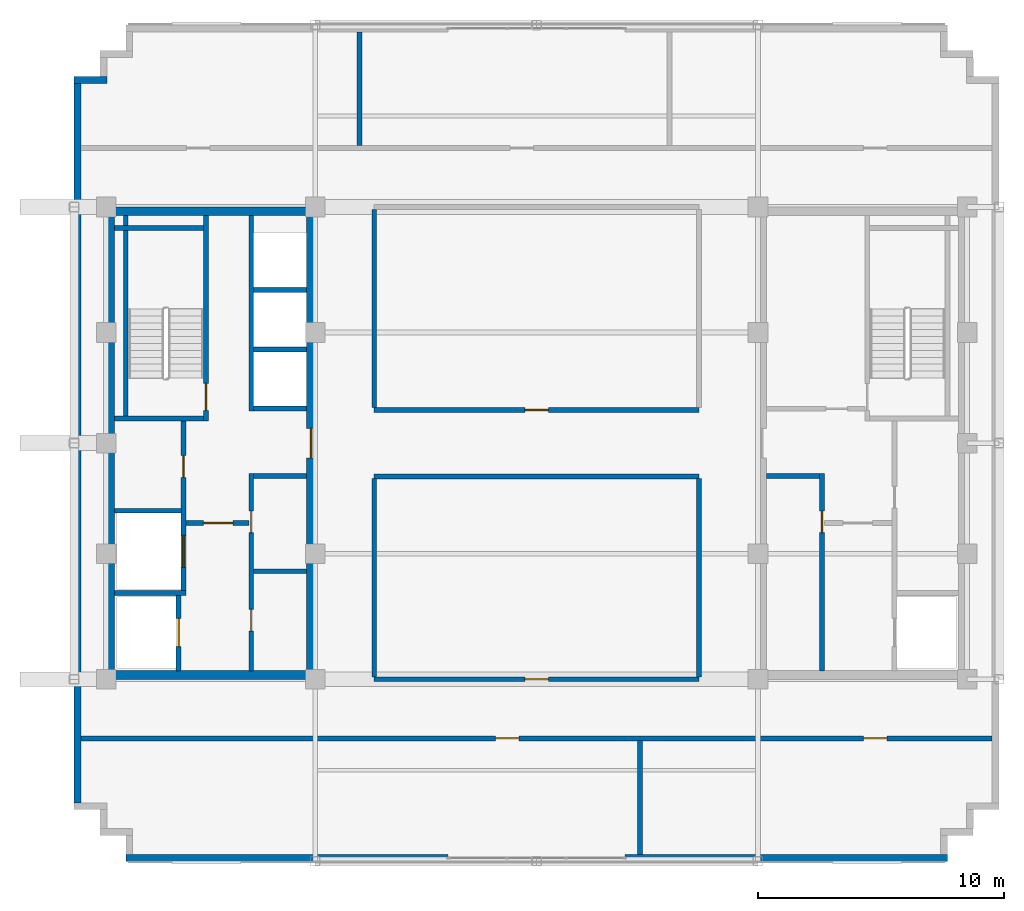
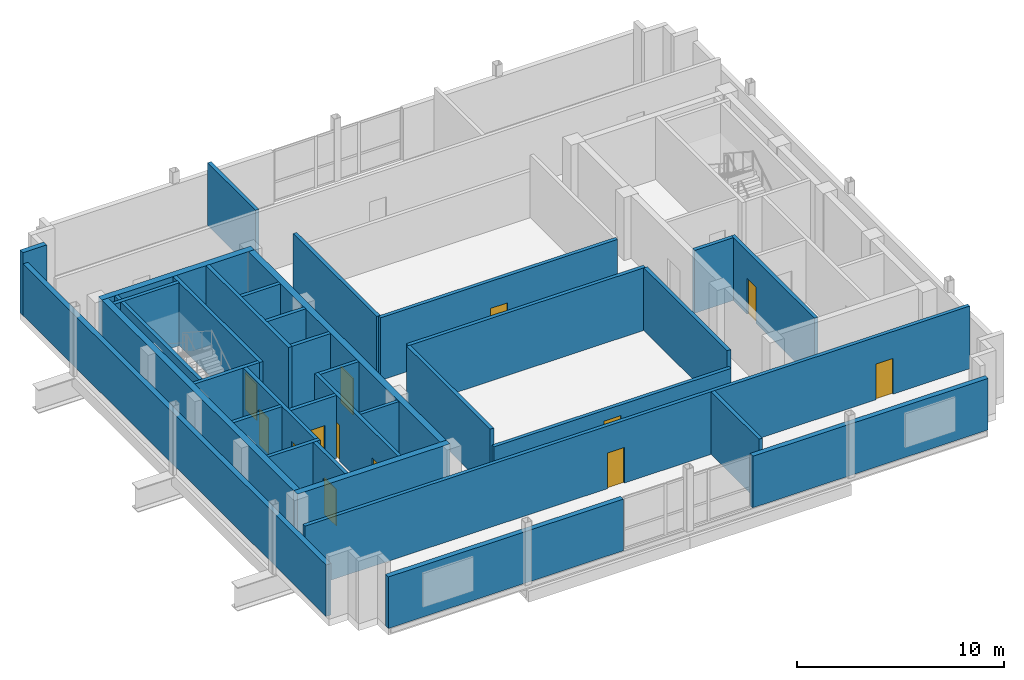
# One storey, part 2 of 9: 35 walls, 13 doors, 13 openings.
"""IFC4 building model written with IfcOpenShell, lengths in metres."""

from ifc_helpers import new_model, si_unit, direction, frame, frame_2d, origin, place, context, subcontext, project, spatial, rectangle, extrude, source, transform, mapped, material, layer, layer_set, type_object, type_shapes, element, fill, save


model = new_model("IFC4")

# Units and contexts
model_context = context("Model", 3, precision=1e-05, world=origin(), true_north=direction((0.0, 1.0)))
body_context = subcontext(model_context, "Body", "Model", "MODEL_VIEW")
ifc_project = project(units=[si_unit("LENGTHUNIT", "METRE"), si_unit("AREAUNIT", "SQUARE_METRE"), si_unit("VOLUMEUNIT", "CUBIC_METRE"), si_unit("PLANEANGLEUNIT", "RADIAN"), si_unit("MASSUNIT", "GRAM", prefix="KILO")], contexts=[model_context])

# Site, building, storey
site_placement = place(None, origin())
site = spatial("IfcSite", under=ifc_project, at=site_placement, CompositionType="ELEMENT")
building_placement = place(site_placement, origin())
building = spatial("IfcBuilding", under=site, at=building_placement, Name="Nuvemarco Arch Tower", CompositionType="ELEMENT")
storey_placement = place(building_placement, frame((0.0, 0.0, 287.14990234375)))
storey = spatial("IfcBuildingStorey", under=building, at=storey_placement, Name="L76", CompositionType="ELEMENT", Elevation=287.14990234375)

# Walls
ifc_material_1 = material(Name="Precast concrete C45/55", Category="concrete")
ifc_layer_1 = layer(ifc_material_1, 0.280029296875, Name="EW-CRN-280")
ifc_layer_set_1 = layer_set([ifc_layer_1], Name="Precast concrete C45/55")
wall_type_1 = type_object("IfcWallType", Name="EW-CRN-280", PredefinedType="STANDARD", material=ifc_layer_set_1)
for number, where, z_axis, x_axis, name in (
    (1, (-16.699951171875, -16.860107421875, 0.0), (0.0, 0.0, 1.0), (1.0, 0.0, 0.0), "L76 exterior precast pier wall south left"),
    (2, (3.60009765625, -16.860107421875, 0.0), (0.0, 0.0, 1.0), (1.0, 0.0, 0.0), "L76 exterior precast pier wall south right"),
):
    element("IfcWall", number, at=place(storey_placement, frame(where, z_axis=z_axis, x_axis=x_axis)), inside=storey, type_object=wall_type_1, Name=name, PredefinedType="STANDARD", context=body_context, shape_type="SweptSolid", body=[
        extrude(rectangle(XDim=13.099853515625, YDim=0.280029296875, at=frame_2d((6.5498046875, 0.0))), origin(), (0.0, 0.0, 1.0), 3.03515625),
    ])
wall_1_placement = place(storey_placement, frame((-18.800048828125, 14.760009765625, 0.0), z_axis=(0.0, 0.0, 1.0), x_axis=(1.0, 0.0, 0.0)))
element("IfcWall", 3, at=wall_1_placement, inside=storey, type_object=wall_type_1, Name="L76 exterior precast facade wall 15", PredefinedType="STANDARD", context=body_context, shape_type="SweptSolid", body=[
    extrude(rectangle(XDim=1.330078125, YDim=0.280029296875, at=frame_2d((0.6650390625, 0.0))), origin(), (0.0, 0.0, 1.0), 3.690185546875),
])
wall_2_placement = place(storey_placement, frame((-18.659912109375, -14.6240234375, 0.0), z_axis=(0.0, 0.0, 1.0), x_axis=(0.0, 1.0, 0.0)))
element("IfcWall", 4, at=wall_2_placement, inside=storey, type_object=wall_type_1, Name="L76 exterior precast facade wall 16", PredefinedType="STANDARD", context=body_context, shape_type="SweptSolid", body=[
    extrude(rectangle(XDim=29.248046875, YDim=0.280029296875, at=frame_2d((14.6240234375, 0.0))), origin(), (0.0, 0.0, 1.0), 3.03515625),
])
ifc_material_2 = material(Name="Concrete C50/60", Category="concrete")
ifc_layer_2 = layer(ifc_material_2, 0.35009765625, Name="WL-CORE-350")
ifc_layer_set_2 = layer_set([ifc_layer_2], Name="Concrete C50/60")
wall_type_2 = type_object("IfcWallType", Name="WL-CORE-350", PredefinedType="SHEAR", material=ifc_layer_set_2)
for number, where, z_axis, x_axis, name in (
    (5, (-17.5, -9.425048828125, 0.0), (0.0, 0.0, 1.0), (1.0, 0.0, 0.0), "L76 W-core shear wall S"),
    (6, (-17.5, 9.425048828125, 0.0), (0.0, 0.0, 1.0), (1.0, 0.0, 0.0), "L76 W-core shear wall N"),
):
    element("IfcWall", number, at=place(storey_placement, frame(where, z_axis=z_axis, x_axis=x_axis)), inside=storey, type_object=wall_type_2, Name=name, PredefinedType="SHEAR", context=body_context, shape_type="SweptSolid", body=[
        extrude(rectangle(XDim=8.5, YDim=0.35009765625, at=frame_2d((4.25, 0.0))), origin(), (0.0, 0.0, 1.0), 3.7001953125),
    ])
wall_3_placement = place(storey_placement, frame((-17.324951171875, -9.2548828125, 0.0), z_axis=(0.0, 0.0, 1.0), x_axis=(0.0, 1.0, 0.0)))
element("IfcWall", 7, at=wall_3_placement, inside=storey, type_object=wall_type_2, Name="L76 W-core shear wall W", PredefinedType="SHEAR", context=body_context, shape_type="SweptSolid", body=[
    extrude(rectangle(XDim=18.509765625, YDim=0.35009765625, at=frame_2d((9.2548828125, 0.0))), origin(), (0.0, 0.0, 1.0), 3.7001953125),
])

# Wall, opening, door
wall_4_placement = place(storey_placement, frame((-9.175048828125, -9.2548828125, 0.0), z_axis=(0.0, 0.0, 1.0), x_axis=(0.0, 1.0, 0.0)))
wall_4 = element("IfcWall", 8, at=wall_4_placement, inside=storey, type_object=wall_type_2, Name="L76 W-core shear wall E", PredefinedType="SHEAR", context=body_context, shape_type="SweptSolid", body=[
    extrude(rectangle(XDim=18.509765625, YDim=0.35009765625, at=frame_2d((9.2548828125, 0.0))), origin(), (0.0, 0.0, 1.0), 3.7001953125),
])
opening_1_placement = place(wall_4_placement, frame((8.655029296875, 0.0, 0.0)))
opening_1 = element("IfcOpeningElement", 9, at=opening_1_placement, cuts=wall_4, Name="Opening FD-2", PredefinedType="OPENING", context=body_context, shape_type="SweptSolid", body=[
    extrude(rectangle(XDim=1.199951171875, YDim=2.14990234375, at=frame_2d((0.60009765625, 1.074951171875))), frame((0.0, 0.18505859375, 0.0), z_axis=(0.0, -1.0, 0.0), x_axis=(1.0, 0.0, 0.0)), (0.0, 0.0, 1.0), 0.3701171875),
])
ifc_material_3 = material(Name="Anodised steel fire door", Category="steel")
door_type_1 = type_object("IfcDoorType", Name="DR-FFLOB-FD", OperationType="NOTDEFINED", PredefinedType="DOOR", material=ifc_material_3)
shared_shape_1 = source(origin(), body_context, "Body", "SweptSolid", [
    extrude(rectangle(XDim=1.199951171875, YDim=2.14990234375, at=frame_2d((0.60009765625, 1.074951171875))), frame((0.0, 0.02490234375, 0.0), z_axis=(0.0, -1.0, 0.0), x_axis=(1.0, 0.0, 0.0)), (0.0, 0.0, 1.0), 0.050048828125),
])
type_shapes(door_type_1, [shared_shape_1])
door_1_placement = place(opening_1_placement, origin())
door_1 = element("IfcDoor", 10, at=door_1_placement, inside=storey, type_object=door_type_1, Name="L76 door FD-L76-WCORE-E", OperationType="SINGLE_SWING_LEFT", OverallHeight=2.14990234375, OverallWidth=1.199951171875, PredefinedType="DOOR", context=body_context, shape_type="MappedRepresentation", body=[
    mapped(shared_shape_1, transform((0.0, 0.0, 0.0), scale=1.0)),
])
fill(opening_1, door_1)

# Wall
ifc_material_4 = material(Name="Fire-rated gypsum drywall partition")
ifc_layer_3 = layer(ifc_material_4, 0.179931640625, Name="WL-CORR-180")
ifc_layer_set_3 = layer_set([ifc_layer_3], Name="Fire-rated gypsum drywall partition")
wall_type_3 = type_object("IfcWallType", Name="WL-CORR-180", PredefinedType="PARTITIONING", material=ifc_layer_set_3)
wall_5_placement = place(storey_placement, frame((-11.5048828125, -5.199951171875, 0.0), z_axis=(0.0, 0.0, 1.0), x_axis=(1.0, 0.0, 0.0)))
element("IfcWall", 11, at=wall_5_placement, inside=storey, type_object=wall_type_3, Name="L76 interior wall IW-L76-W-RECK1", PredefinedType="PARTITIONING", context=body_context, shape_type="SweptSolid", body=[
    extrude(rectangle(XDim=2.159912109375, YDim=0.179931640625, at=frame_2d((1.080078125, 0.0))), origin(), (0.0, 0.0, 1.0), 3.690185546875),
])

# Wall, openings, doors
ifc_layer_4 = layer(ifc_material_1, 0.199951171875, Name="WL-PLANT-200")
ifc_layer_set_4 = layer_set([ifc_layer_4], Name="Precast concrete C45/55")
wall_type_4 = type_object("IfcWallType", Name="WL-PLANT-200", PredefinedType="STANDARD", material=ifc_layer_set_4)
wall_6_placement = place(storey_placement, frame((-18.52001953125, -12.0, 0.0), z_axis=(0.0, 0.0, 1.0), x_axis=(1.0, 0.0, 0.0)))
wall_6 = element("IfcWall", 12, at=wall_6_placement, inside=storey, type_object=wall_type_4, Name="L76 interior wall IW-L76-001", PredefinedType="STANDARD", context=body_context, shape_type="SweptSolid", body=[
    extrude(rectangle(XDim=37.0400390625, YDim=0.199951171875, at=frame_2d((18.52001953125, 0.0))), origin(), (0.0, 0.0, 1.0), 3.690185546875),
])
opening_2_placement = place(wall_6_placement, frame((16.840087890625, 0.0, 0.0)))
opening_2 = element("IfcOpeningElement", 13, at=opening_2_placement, cuts=wall_6, Name="Opening FD-5", PredefinedType="OPENING", context=body_context, shape_type="SweptSolid", body=[
    extrude(rectangle(XDim=0.9599609375, YDim=2.10009765625, at=frame_2d((0.47998046875, 1.050048828125))), frame((0.0, 0.10986328125, 0.0), z_axis=(0.0, -1.0, 0.0), x_axis=(1.0, 0.0, 0.0)), (0.0, 0.0, 1.0), 0.219970703125),
])
opening_3_placement = place(wall_6_placement, frame((31.800048828125, 0.0, 0.0)))
opening_3 = element("IfcOpeningElement", 14, at=opening_3_placement, cuts=wall_6, Name="Opening FD-5", PredefinedType="OPENING", context=body_context, shape_type="SweptSolid", body=[
    extrude(rectangle(XDim=0.9599609375, YDim=2.10009765625, at=frame_2d((0.47998046875, 1.050048828125))), frame((0.0, 0.10986328125, 0.0), z_axis=(0.0, -1.0, 0.0), x_axis=(1.0, 0.0, 0.0)), (0.0, 0.0, 1.0), 0.219970703125),
])
ifc_material_5 = material(Name="Timber fire door", Category="wood")
door_type_2 = type_object("IfcDoorType", Name="DR-CORR-FD", OperationType="NOTDEFINED", PredefinedType="DOOR", material=ifc_material_5)
shared_shape_2 = source(origin(), body_context, "Body", "SweptSolid", [
    extrude(rectangle(XDim=0.9599609375, YDim=2.10009765625, at=frame_2d((0.47998046875, 1.050048828125))), frame((0.0, 0.02490234375, 0.0), z_axis=(0.0, -1.0, 0.0), x_axis=(1.0, 0.0, 0.0)), (0.0, 0.0, 1.0), 0.050048828125),
])
type_shapes(door_type_2, [shared_shape_2])
door_2_placement = place(opening_2_placement, origin())
door_2 = element("IfcDoor", 15, at=door_2_placement, inside=storey, type_object=door_type_2, Name="L76 door DR-L76-CRN_COOL", OperationType="SINGLE_SWING_LEFT", OverallHeight=2.10009765625, OverallWidth=0.9599609375, PredefinedType="DOOR", context=body_context, shape_type="MappedRepresentation", body=[
    mapped(shared_shape_2, transform((0.0, 0.0, 0.0), scale=1.0)),
])
fill(opening_2, door_2)
door_3_placement = place(opening_3_placement, origin())
door_3 = element("IfcDoor", 16, at=door_3_placement, inside=storey, type_object=door_type_2, Name="L76 door DR-L76-CRN_AHU", OperationType="SINGLE_SWING_RIGHT", OverallHeight=2.10009765625, OverallWidth=0.9599609375, PredefinedType="DOOR", context=body_context, shape_type="MappedRepresentation", body=[
    mapped(shared_shape_2, transform((0.0, 0.0, 0.0), scale=1.0)),
])
fill(opening_3, door_3)

# Wall, opening, door
wall_7_placement = place(storey_placement, frame((-6.60009765625, -9.60009765625, 0.0), z_axis=(0.0, 0.0, 1.0), x_axis=(1.0, 0.0, 0.0)))
wall_7 = element("IfcWall", 17, at=wall_7_placement, inside=storey, type_object=wall_type_4, Name="L76 interior wall IW-L76-002", PredefinedType="STANDARD", context=body_context, shape_type="SweptSolid", body=[
    extrude(rectangle(XDim=13.2001953125, YDim=0.199951171875, at=frame_2d((6.60009765625, 0.0))), origin(), (0.0, 0.0, 1.0), 2.735107421875),
])
opening_4_placement = place(wall_7_placement, frame((6.1201171875, 0.0, 0.0)))
opening_4 = element("IfcOpeningElement", 18, at=opening_4_placement, cuts=wall_7, Name="Opening FD-5", PredefinedType="OPENING", context=body_context, shape_type="SweptSolid", body=[
    extrude(rectangle(XDim=0.9599609375, YDim=2.10009765625, at=frame_2d((0.47998046875, 1.050048828125))), frame((0.0, 0.10986328125, 0.0), z_axis=(0.0, -1.0, 0.0), x_axis=(1.0, 0.0, 0.0)), (0.0, 0.0, 1.0), 0.219970703125),
])
door_4_placement = place(opening_4_placement, origin())
door_4 = element("IfcDoor", 19, at=door_4_placement, inside=storey, type_object=door_type_2, Name="L76 door DR-L76-CRN_BMS", OperationType="SINGLE_SWING_LEFT", OverallHeight=2.10009765625, OverallWidth=0.9599609375, PredefinedType="DOOR", context=body_context, shape_type="MappedRepresentation", body=[
    mapped(shared_shape_2, transform((0.0, 0.0, 0.0), scale=1.0)),
])
fill(opening_4, door_4)

# Wall
wall_8_placement = place(storey_placement, frame((-6.60009765625, -1.35009765625, 0.0), z_axis=(0.0, 0.0, 1.0), x_axis=(1.0, 0.0, 0.0)))
element("IfcWall", 20, at=wall_8_placement, inside=storey, type_object=wall_type_4, Name="L76 interior wall IW-L76-003", PredefinedType="STANDARD", context=body_context, shape_type="SweptSolid", body=[
    extrude(rectangle(XDim=13.2001953125, YDim=0.199951171875, at=frame_2d((6.60009765625, 0.0))), origin(), (0.0, 0.0, 1.0), 3.690185546875),
])

# Wall, opening, door
wall_9_placement = place(storey_placement, frame((-6.60009765625, 1.35009765625, 0.0), z_axis=(0.0, 0.0, 1.0), x_axis=(1.0, 0.0, 0.0)))
wall_9 = element("IfcWall", 21, at=wall_9_placement, inside=storey, type_object=wall_type_4, Name="L76 interior wall IW-L76-004", PredefinedType="STANDARD", context=body_context, shape_type="SweptSolid", body=[
    extrude(rectangle(XDim=13.2001953125, YDim=0.199951171875, at=frame_2d((6.60009765625, 0.0))), origin(), (0.0, 0.0, 1.0), 3.690185546875),
])
opening_5_placement = place(wall_9_placement, frame((6.1201171875, 0.0, 0.0)))
opening_5 = element("IfcOpeningElement", 22, at=opening_5_placement, cuts=wall_9, Name="Opening FD-5", PredefinedType="OPENING", context=body_context, shape_type="SweptSolid", body=[
    extrude(rectangle(XDim=0.9599609375, YDim=2.10009765625, at=frame_2d((0.47998046875, 1.050048828125))), frame((0.0, 0.10986328125, 0.0), z_axis=(0.0, -1.0, 0.0), x_axis=(1.0, 0.0, 0.0)), (0.0, 0.0, 1.0), 0.219970703125),
])
door_5_placement = place(opening_5_placement, origin())
door_5 = element("IfcDoor", 23, at=door_5_placement, inside=storey, type_object=door_type_2, Name="L76 door DR-L76-CRN_PUMP", OperationType="SINGLE_SWING_RIGHT", OverallHeight=2.10009765625, OverallWidth=0.9599609375, PredefinedType="DOOR", context=body_context, shape_type="MappedRepresentation", body=[
    mapped(shared_shape_2, transform((0.0, 0.0, 0.0), scale=1.0)),
])
fill(opening_5, door_5)

# Walls
wall_10_placement = place(storey_placement, frame((-7.199951171875, 12.095947265625, 0.0), z_axis=(0.0, 0.0, 1.0), x_axis=(0.0, 1.0, 0.0)))
element("IfcWall", 24, at=wall_10_placement, inside=storey, type_object=wall_type_4, Name="L76 interior wall IW-L76-007", PredefinedType="STANDARD", context=body_context, shape_type="SweptSolid", body=[
    extrude(rectangle(XDim=4.6240234375, YDim=0.199951171875, at=frame_2d((2.31201171875, 0.0))), origin(), (0.0, 0.0, 1.0), 3.690185546875),
])
for number, where, z_axis, x_axis, name in (
    (25, (-6.60009765625, -9.50390625, 0.0), (0.0, 0.0, 1.0), (0.0, 1.0, 0.0), "L76 interior wall IW-L76-008"),
    (26, (-6.60009765625, 1.446044921875, 0.0), (0.0, 0.0, 1.0), (0.0, 1.0, 0.0), "L76 interior wall IW-L76-009"),
):
    element("IfcWall", number, at=place(storey_placement, frame(where, z_axis=z_axis, x_axis=x_axis)), inside=storey, type_object=wall_type_4, Name=name, PredefinedType="STANDARD", context=body_context, shape_type="SweptSolid", body=[
        extrude(rectangle(XDim=8.057861328125, YDim=0.199951171875, at=frame_2d((4.02880859375, 0.0))), origin(), (0.0, 0.0, 1.0), 3.690185546875),
    ])
wall_11_placement = place(storey_placement, frame((4.199951171875, -16.719970703125, 0.0), z_axis=(0.0, 0.0, 1.0), x_axis=(0.0, 1.0, 0.0)))
element("IfcWall", 27, at=wall_11_placement, inside=storey, type_object=wall_type_4, Name="L76 interior wall IW-L76-010", PredefinedType="STANDARD", context=body_context, shape_type="SweptSolid", body=[
    extrude(rectangle(XDim=4.6240234375, YDim=0.199951171875, at=frame_2d((2.31201171875, 0.0))), origin(), (0.0, 0.0, 1.0), 3.690185546875),
])
wall_12_placement = place(storey_placement, frame((6.60009765625, -9.50390625, 0.0), z_axis=(0.0, 0.0, 1.0), x_axis=(0.0, 1.0, 0.0)))
element("IfcWall", 28, at=wall_12_placement, inside=storey, type_object=wall_type_4, Name="L76 interior wall IW-L76-012", PredefinedType="STANDARD", context=body_context, shape_type="SweptSolid", body=[
    extrude(rectangle(XDim=8.057861328125, YDim=0.199951171875, at=frame_2d((4.02880859375, 0.0))), origin(), (0.0, 0.0, 1.0), 3.690185546875),
])

# Wall, opening, door
ifc_layer_5 = layer(ifc_material_2, 0.199951171875, Name="WL-SHAFT-220")
ifc_layer_set_5 = layer_set([ifc_layer_5], Name="Concrete C50/60")
wall_type_5 = type_object("IfcWallType", Name="WL-SHAFT-220", PredefinedType="SHEAR", material=ifc_layer_set_5)
wall_13_placement = place(storey_placement, frame((-13.43994140625, 0.89990234375, 0.0), z_axis=(0.0, 0.0, 1.0), x_axis=(0.0, 1.0, 0.0)))
wall_13 = element("IfcWall", 29, at=wall_13_placement, inside=storey, type_object=wall_type_5, Name="L76 structural shaft wall SW-L76-W-ST1E", PredefinedType="SHEAR", context=body_context, shape_type="SweptSolid", body=[
    extrude(rectangle(XDim=8.35498046875, YDim=0.199951171875, at=frame_2d((4.177490234375, 0.0))), origin(), (0.0, 0.0, 1.0), 3.7001953125),
])
opening_6_placement = place(wall_13_placement, frame((1.530029296875, 0.0, 0.0), z_axis=(0.0, 0.0, 1.0), x_axis=(-1.0, 0.0, 0.0)))
opening_6 = element("IfcOpeningElement", 30, at=opening_6_placement, cuts=wall_13, Name="Opening FD-1", PredefinedType="OPENING", context=body_context, shape_type="SweptSolid", body=[
    extrude(rectangle(XDim=1.10009765625, YDim=2.14990234375, at=frame_2d((0.550048828125, 1.074951171875))), frame((0.0, 0.10986328125, 0.0), z_axis=(0.0, -1.0, 0.0), x_axis=(1.0, 0.0, 0.0)), (0.0, 0.0, 1.0), 0.219970703125),
])
door_type_3 = type_object("IfcDoorType", Name="DR-STAIR-FD", OperationType="NOTDEFINED", PredefinedType="DOOR", material=ifc_material_3)
shared_shape_3 = source(origin(), body_context, "Body", "SweptSolid", [
    extrude(rectangle(XDim=1.10009765625, YDim=2.14990234375, at=frame_2d((0.550048828125, 1.074951171875))), frame((0.0, 0.02490234375, 0.0), z_axis=(0.0, -1.0, 0.0), x_axis=(1.0, 0.0, 0.0)), (0.0, 0.0, 1.0), 0.050048828125),
])
type_shapes(door_type_3, [shared_shape_3])
door_6_placement = place(opening_6_placement, origin())
door_6 = element("IfcDoor", 31, at=door_6_placement, inside=storey, type_object=door_type_3, Name="L76 door FD-L76-ST1", OperationType="SINGLE_SWING_RIGHT", OverallHeight=2.14990234375, OverallWidth=1.10009765625, PredefinedType="DOOR", context=body_context, shape_type="MappedRepresentation", body=[
    mapped(shared_shape_3, transform((0.0, 0.0, 0.0), scale=1.0)),
])
fill(opening_6, door_6)

# Walls
for number, where, z_axis, x_axis, name in (
    (32, (-17.155029296875, 1.0, 0.0), (0.0, 0.0, 1.0), (1.0, 0.0, 0.0), "L76 structural shaft wall SW-L76-W-ST1S"),
    (33, (-17.155029296875, 8.75, 0.0), (0.0, 0.0, 1.0), (1.0, 0.0, 0.0), "L76 structural shaft wall SW-L76-W-ST1N"),
):
    element("IfcWall", number, at=place(storey_placement, frame(where, z_axis=z_axis, x_axis=x_axis)), inside=storey, type_object=wall_type_5, Name=name, PredefinedType="SHEAR", context=body_context, shape_type="SweptSolid", body=[
        extrude(rectangle(XDim=3.6201171875, YDim=0.199951171875, at=frame_2d((1.81005859375, 0.0))), origin(), (0.0, 0.0, 1.0), 3.7001953125),
    ])
wall_14_placement = place(storey_placement, frame((-16.699951171875, 1.094970703125, 0.0), z_axis=(0.0, 0.0, 1.0), x_axis=(0.0, 1.0, 0.0)))
element("IfcWall", 34, at=wall_14_placement, inside=storey, type_object=wall_type_5, Name="L76 structural shaft wall SW-L76-W-ST1W", PredefinedType="SHEAR", context=body_context, shape_type="SweptSolid", body=[
    extrude(rectangle(XDim=8.159912109375, YDim=0.199951171875, at=frame_2d((4.080078125, 0.0))), origin(), (0.0, 0.0, 1.0), 3.7001953125),
])

# Wall, opening, door
wall_15_placement = place(storey_placement, frame((-14.550048828125, -9.2548828125, 0.0), z_axis=(0.0, 0.0, 1.0), x_axis=(0.0, 1.0, 0.0)))
wall_15 = element("IfcWall", 35, at=wall_15_placement, inside=storey, type_object=wall_type_5, Name="L76 structural shaft wall SW-L76-W-SHE", PredefinedType="SHEAR", context=body_context, shape_type="SweptSolid", body=[
    extrude(rectangle(XDim=3.059814453125, YDim=0.199951171875, at=frame_2d((1.52978515625, 0.0))), origin(), (0.0, 0.0, 1.0), 3.7001953125),
])
opening_7_placement = place(wall_15_placement, frame((0.97998046875, 0.0, 0.0)))
opening_7 = element("IfcOpeningElement", 36, at=opening_7_placement, cuts=wall_15, Name="Opening LD-2", PredefinedType="OPENING", context=body_context, shape_type="SweptSolid", body=[
    extrude(rectangle(XDim=1.14990234375, YDim=2.14990234375, at=frame_2d((0.574951171875, 1.074951171875))), frame((0.0, 0.10986328125, 0.0), z_axis=(0.0, -1.0, 0.0), x_axis=(1.0, 0.0, 0.0)), (0.0, 0.0, 1.0), 0.219970703125),
])
ifc_material_6 = material(Name="Stainless steel lift door", Category="steel")
door_type_4 = type_object("IfcDoorType", Name="DR-LIFT-FIRE", OperationType="DOUBLE_DOOR_SLIDING", PredefinedType="DOOR", material=ifc_material_6)
shared_shape_4 = source(origin(), body_context, "Body", "SweptSolid", [
    extrude(rectangle(XDim=1.14990234375, YDim=2.14990234375, at=frame_2d((0.574951171875, 1.074951171875))), frame((0.0, 0.02490234375, 0.0), z_axis=(0.0, -1.0, 0.0), x_axis=(1.0, 0.0, 0.0)), (0.0, 0.0, 1.0), 0.050048828125),
])
type_shapes(door_type_4, [shared_shape_4])
door_7_placement = place(opening_7_placement, origin())
door_7 = element("IfcDoor", 37, at=door_7_placement, inside=storey, type_object=door_type_4, Name="L76 Lift landing sliding door FFL-1", OperationType="DOUBLE_DOOR_SLIDING", OverallHeight=2.14990234375, OverallWidth=1.14990234375, PredefinedType="DOOR", context=body_context, shape_type="MappedRepresentation", body=[
    mapped(shared_shape_4, transform((0.0, 0.0, 0.0), scale=1.0)),
])
fill(opening_7, door_7)

# Wall, openings, doors
wall_16_placement = place(storey_placement, frame((-14.35009765625, -6.199951171875, 0.0), z_axis=(0.0, 0.0, 1.0), x_axis=(0.0, 1.0, 0.0)))
wall_16 = element("IfcWall", 38, at=wall_16_placement, inside=storey, type_object=wall_type_5, Name="L76 structural shaft wall SW-L76-W-SVE", PredefinedType="SHEAR", context=body_context, shape_type="SweptSolid", body=[
    extrude(rectangle(XDim=7.10498046875, YDim=0.199951171875, at=frame_2d((3.552490234375, 0.0))), origin(), (0.0, 0.0, 1.0), 3.7001953125),
])
opening_8_placement = place(wall_16_placement, frame((5.68994140625, 0.0, 0.0), z_axis=(0.0, 0.0, 1.0), x_axis=(-1.0, 0.0, 0.0)))
opening_8 = element("IfcOpeningElement", 39, at=opening_8_placement, cuts=wall_16, Name="Opening FD-4", PredefinedType="OPENING", context=body_context, shape_type="SweptSolid", body=[
    extrude(rectangle(XDim=0.8798828125, YDim=2.10009765625, at=frame_2d((0.43994140625, 1.050048828125))), frame((0.0, 0.10986328125, 0.0), z_axis=(0.0, -1.0, 0.0), x_axis=(1.0, 0.0, 0.0)), (0.0, 0.0, 1.0), 0.219970703125),
])
opening_9_placement = place(wall_16_placement, frame((1.14990234375, 0.0, 0.0)))
opening_9 = element("IfcOpeningElement", 40, at=opening_9_placement, cuts=wall_16, Name="Opening LD-3", PredefinedType="OPENING", context=body_context, shape_type="SweptSolid", body=[
    extrude(rectangle(XDim=1.300048828125, YDim=2.199951171875, at=frame_2d((0.64990234375, 1.10009765625))), frame((0.0, 0.10986328125, 0.0), z_axis=(0.0, -1.0, 0.0), x_axis=(1.0, 0.0, 0.0)), (0.0, 0.0, 1.0), 0.219970703125),
])
door_type_5 = type_object("IfcDoorType", Name="DR-RISER-FD", OperationType="NOTDEFINED", PredefinedType="DOOR", material=ifc_material_3)
shared_shape_5 = source(origin(), body_context, "Body", "SweptSolid", [
    extrude(rectangle(XDim=0.8798828125, YDim=2.10009765625, at=frame_2d((0.43994140625, 1.050048828125))), frame((0.0, 0.02490234375, 0.0), z_axis=(0.0, -1.0, 0.0), x_axis=(1.0, 0.0, 0.0)), (0.0, 0.0, 1.0), 0.050048828125),
])
type_shapes(door_type_5, [shared_shape_5])
door_8_placement = place(opening_8_placement, origin())
door_8 = element("IfcDoor", 41, at=door_8_placement, inside=storey, type_object=door_type_5, Name="L76 door FD-L76-WRIS", OperationType="SINGLE_SWING_RIGHT", OverallHeight=2.10009765625, OverallWidth=0.8798828125, PredefinedType="DOOR", context=body_context, shape_type="MappedRepresentation", body=[
    mapped(shared_shape_5, transform((0.0, 0.0, 0.0), scale=1.0)),
])
fill(opening_8, door_8)
door_type_6 = type_object("IfcDoorType", Name="DR-LIFT-SERV", OperationType="DOUBLE_DOOR_SLIDING", PredefinedType="DOOR", material=ifc_material_6)
shared_shape_6 = source(origin(), body_context, "Body", "SweptSolid", [
    extrude(rectangle(XDim=1.300048828125, YDim=2.199951171875, at=frame_2d((0.64990234375, 1.10009765625))), frame((0.0, 0.02490234375, 0.0), z_axis=(0.0, -1.0, 0.0), x_axis=(1.0, 0.0, 0.0)), (0.0, 0.0, 1.0), 0.050048828125),
])
type_shapes(door_type_6, [shared_shape_6])
door_9_placement = place(opening_9_placement, origin())
door_9 = element("IfcDoor", 42, at=door_9_placement, inside=storey, type_object=door_type_6, Name="L76 Lift landing sliding door SVL-1", OperationType="DOUBLE_DOOR_SLIDING", OverallHeight=2.199951171875, OverallWidth=1.300048828125, PredefinedType="DOOR", context=body_context, shape_type="MappedRepresentation", body=[
    mapped(shared_shape_6, transform((0.0, 0.0, 0.0), scale=1.0)),
])
fill(opening_9, door_9)

# Walls
wall_17_placement = place(storey_placement, frame((-17.155029296875, -6.10009765625, 0.0), z_axis=(0.0, 0.0, 1.0), x_axis=(1.0, 0.0, 0.0)))
element("IfcWall", 43, at=wall_17_placement, inside=storey, type_object=wall_type_5, Name="L76 structural shaft wall SW-L76-W-SH1", PredefinedType="SHEAR", context=body_context, shape_type="SweptSolid", body=[
    extrude(rectangle(XDim=2.905029296875, YDim=0.199951171875, at=frame_2d((1.45263671875, 0.0))), origin(), (0.0, 0.0, 1.0), 3.7001953125),
])
wall_18_placement = place(storey_placement, frame((-17.155029296875, -2.75, 0.0), z_axis=(0.0, 0.0, 1.0), x_axis=(1.0, 0.0, 0.0)))
element("IfcWall", 44, at=wall_18_placement, inside=storey, type_object=wall_type_5, Name="L76 structural shaft wall SW-L76-W-SH2", PredefinedType="SHEAR", context=body_context, shape_type="SweptSolid", body=[
    extrude(rectangle(XDim=2.7099609375, YDim=0.199951171875, at=frame_2d((1.35498046875, 0.0))), origin(), (0.0, 0.0, 1.0), 3.7001953125),
])

# Wall, openings, doors
wall_19_placement = place(storey_placement, frame((-11.60009765625, -9.2548828125, 0.0), z_axis=(0.0, 0.0, 1.0), x_axis=(0.0, 1.0, 0.0)))
wall_19 = element("IfcWall", 45, at=wall_19_placement, inside=storey, type_object=wall_type_5, Name="L76 structural shaft wall SW-L76-W-PLW", PredefinedType="SHEAR", context=body_context, shape_type="SweptSolid", body=[
    extrude(rectangle(XDim=8.02490234375, YDim=0.199951171875, at=frame_2d((4.012451171875, 0.0))), origin(), (0.0, 0.0, 1.0), 3.7001953125),
])
opening_10_placement = place(wall_19_placement, frame((1.614990234375, 0.0, 0.0)))
opening_10 = element("IfcOpeningElement", 46, at=opening_10_placement, cuts=wall_19, Name="Opening FD-4", PredefinedType="OPENING", context=body_context, shape_type="SweptSolid", body=[
    extrude(rectangle(XDim=0.8798828125, YDim=2.10009765625, at=frame_2d((0.43994140625, 1.050048828125))), frame((0.0, 0.10986328125, 0.0), z_axis=(0.0, -1.0, 0.0), x_axis=(1.0, 0.0, 0.0)), (0.0, 0.0, 1.0), 0.219970703125),
])
opening_11_placement = place(wall_19_placement, frame((5.614990234375, 0.0, 0.0)))
opening_11 = element("IfcOpeningElement", 47, at=opening_11_placement, cuts=wall_19, Name="Opening FD-4", PredefinedType="OPENING", context=body_context, shape_type="SweptSolid", body=[
    extrude(rectangle(XDim=0.8798828125, YDim=2.10009765625, at=frame_2d((0.43994140625, 1.050048828125))), frame((0.0, 0.10986328125, 0.0), z_axis=(0.0, -1.0, 0.0), x_axis=(1.0, 0.0, 0.0)), (0.0, 0.0, 1.0), 0.219970703125),
])
door_10_placement = place(opening_10_placement, origin())
door_10 = element("IfcDoor", 48, at=door_10_placement, inside=storey, type_object=door_type_5, Name="L76 door FD-L76-WREC1", OperationType="SINGLE_SWING_RIGHT", OverallHeight=2.10009765625, OverallWidth=0.8798828125, PredefinedType="DOOR", context=body_context, shape_type="MappedRepresentation", body=[
    mapped(shared_shape_5, transform((0.0, 0.0, 0.0), scale=1.0)),
])
fill(opening_10, door_10)
door_11_placement = place(opening_11_placement, origin())
door_11 = element("IfcDoor", 49, at=door_11_placement, inside=storey, type_object=door_type_5, Name="L76 door FD-L76-WREC2", OperationType="SINGLE_SWING_LEFT", OverallHeight=2.10009765625, OverallWidth=0.8798828125, PredefinedType="DOOR", context=body_context, shape_type="MappedRepresentation", body=[
    mapped(shared_shape_5, transform((0.0, 0.0, 0.0), scale=1.0)),
])
fill(opening_11, door_11)

# Wall, opening, door
wall_20_placement = place(storey_placement, frame((-14.2548828125, -3.25, 0.0), z_axis=(0.0, 0.0, 1.0), x_axis=(1.0, 0.0, 0.0)))
wall_20 = element("IfcWall", 50, at=wall_20_placement, inside=storey, type_object=wall_type_5, Name="L76 structural shaft wall SW-L76-W-FFN", PredefinedType="SHEAR", context=body_context, shape_type="SweptSolid", body=[
    extrude(rectangle(XDim=2.559814453125, YDim=0.199951171875, at=frame_2d((1.27978515625, 0.0))), origin(), (0.0, 0.0, 1.0), 3.7001953125),
])
opening_12_placement = place(wall_20_placement, frame((0.705078125, 0.0, 0.0)))
opening_12 = element("IfcOpeningElement", 51, at=opening_12_placement, cuts=wall_20, Name="Opening FD-2", PredefinedType="OPENING", context=body_context, shape_type="SweptSolid", body=[
    extrude(rectangle(XDim=1.199951171875, YDim=2.14990234375, at=frame_2d((0.60009765625, 1.074951171875))), frame((0.0, 0.10986328125, 0.0), z_axis=(0.0, -1.0, 0.0), x_axis=(1.0, 0.0, 0.0)), (0.0, 0.0, 1.0), 0.219970703125),
])
door_12_placement = place(opening_12_placement, origin())
door_12 = element("IfcDoor", 52, at=door_12_placement, inside=storey, type_object=door_type_1, Name="L76 door FD-L76-WFF1", OperationType="SINGLE_SWING_RIGHT", OverallHeight=2.14990234375, OverallWidth=1.199951171875, PredefinedType="DOOR", context=body_context, shape_type="MappedRepresentation", body=[
    mapped(shared_shape_1, transform((0.0, 0.0, 0.0), scale=1.0)),
])
fill(opening_12, door_12)

# Walls
wall_21_placement = place(storey_placement, frame((-11.5048828125, -1.330078125, 0.0), z_axis=(0.0, 0.0, 1.0), x_axis=(1.0, 0.0, 0.0)))
element("IfcWall", 53, at=wall_21_placement, inside=storey, type_object=wall_type_5, Name="L76 structural shaft wall SW-L76-W-PLTOP", PredefinedType="SHEAR", context=body_context, shape_type="SweptSolid", body=[
    extrude(rectangle(XDim=2.159912109375, YDim=0.199951171875, at=frame_2d((1.080078125, 0.0))), origin(), (0.0, 0.0, 1.0), 3.7001953125),
])
wall_22_placement = place(storey_placement, frame((-11.60009765625, 1.300048828125, 0.0), z_axis=(0.0, 0.0, 1.0), x_axis=(0.0, 1.0, 0.0)))
element("IfcWall", 54, at=wall_22_placement, inside=storey, type_object=wall_type_5, Name="L76 structural shaft wall SW-L76-W-PHW", PredefinedType="SHEAR", context=body_context, shape_type="SweptSolid", body=[
    extrude(rectangle(XDim=7.954833984375, YDim=0.199951171875, at=frame_2d((3.9775390625, 0.0))), origin(), (0.0, 0.0, 1.0), 3.7001953125),
])
for number, where, z_axis, x_axis, name in (
    (55, (-11.5048828125, 1.39990234375, 0.0), (0.0, 0.0, 1.0), (1.0, 0.0, 0.0), "L76 structural shaft wall SW-L76-W-PHD1"),
    (56, (-11.5048828125, 3.800048828125, 0.0), (0.0, 0.0, 1.0), (1.0, 0.0, 0.0), "L76 structural shaft wall SW-L76-W-PHD2"),
    (57, (-11.5048828125, 6.219970703125, 0.0), (0.0, 0.0, 1.0), (1.0, 0.0, 0.0), "L76 structural shaft wall SW-L76-W-PHD3"),
):
    element("IfcWall", number, at=place(storey_placement, frame(where, z_axis=z_axis, x_axis=x_axis)), inside=storey, type_object=wall_type_5, Name=name, PredefinedType="SHEAR", context=body_context, shape_type="SweptSolid", body=[
        extrude(rectangle(XDim=2.159912109375, YDim=0.199951171875, at=frame_2d((1.080078125, 0.0))), origin(), (0.0, 0.0, 1.0), 3.7001953125),
    ])

# Wall, opening, door
wall_23_placement = place(storey_placement, frame((11.60009765625, -9.2548828125, 0.0), z_axis=(0.0, 0.0, 1.0), x_axis=(0.0, 1.0, 0.0)))
wall_23 = element("IfcWall", 58, at=wall_23_placement, inside=storey, type_object=wall_type_5, Name="L76 structural shaft wall SW-L76-E-PME", PredefinedType="SHEAR", context=body_context, shape_type="SweptSolid", body=[
    extrude(rectangle(XDim=8.02490234375, YDim=0.199951171875, at=frame_2d((4.012451171875, 0.0))), origin(), (0.0, 0.0, 1.0), 3.7001953125),
])
opening_13_placement = place(wall_23_placement, frame((5.614990234375, 0.0, 0.0)))
opening_13 = element("IfcOpeningElement", 59, at=opening_13_placement, cuts=wall_23, Name="Opening FD-4", PredefinedType="OPENING", context=body_context, shape_type="SweptSolid", body=[
    extrude(rectangle(XDim=0.8798828125, YDim=2.10009765625, at=frame_2d((0.43994140625, 1.050048828125))), frame((0.0, 0.10986328125, 0.0), z_axis=(0.0, -1.0, 0.0), x_axis=(1.0, 0.0, 0.0)), (0.0, 0.0, 1.0), 0.219970703125),
])
door_13_placement = place(opening_13_placement, origin())
door_13 = element("IfcDoor", 60, at=door_13_placement, inside=storey, type_object=door_type_5, Name="L76 door FD-L76-ERECPM", OperationType="SINGLE_SWING_RIGHT", OverallHeight=2.10009765625, OverallWidth=0.8798828125, PredefinedType="DOOR", context=body_context, shape_type="MappedRepresentation", body=[
    mapped(shared_shape_5, transform((0.0, 0.0, 0.0), scale=1.0)),
])
fill(opening_13, door_13)

# Wall
wall_24_placement = place(storey_placement, frame((9.344970703125, -1.330078125, 0.0), z_axis=(0.0, 0.0, 1.0), x_axis=(1.0, 0.0, 0.0)))
element("IfcWall", 61, at=wall_24_placement, inside=storey, type_object=wall_type_5, Name="L76 structural shaft wall SW-L76-E-PMTOP", PredefinedType="SHEAR", context=body_context, shape_type="SweptSolid", body=[
    extrude(rectangle(XDim=2.159912109375, YDim=0.199951171875, at=frame_2d((1.080078125, 0.0))), origin(), (0.0, 0.0, 1.0), 3.7001953125),
])

save(model, "model.ifc")
